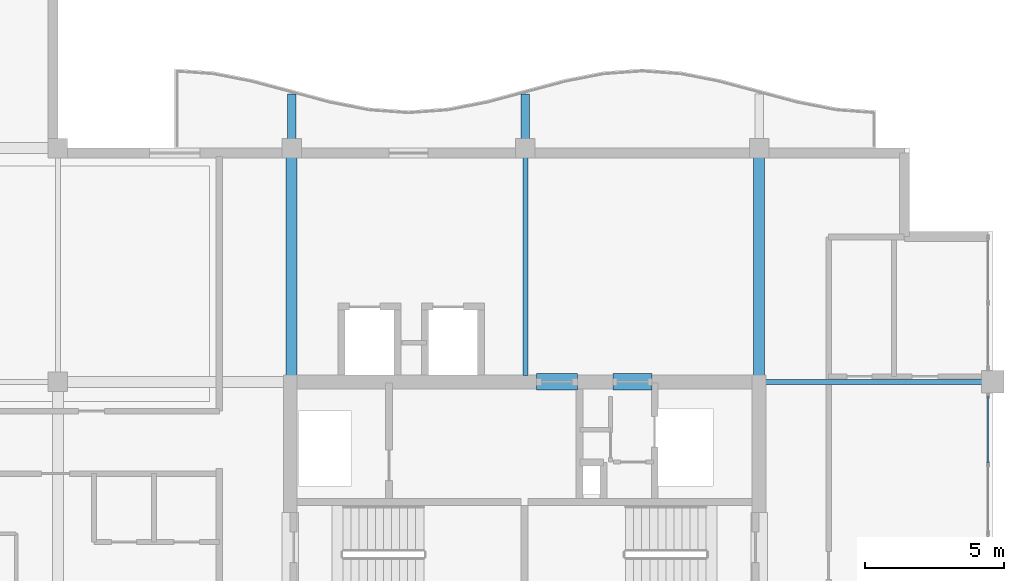
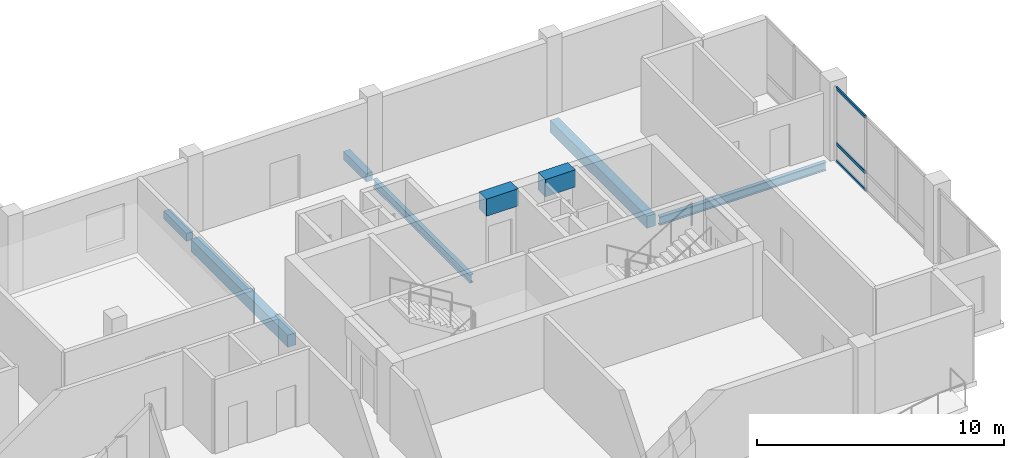
# One storey, part 3 of 15: 8 beams, 3 members, 1 element without a shape of its own.
"""IFC4 building model written with IfcOpenShell, lengths in metres."""

from ifc_helpers import new_model, si_unit, direction, frame, origin, origin_2d, place, context, subcontext, project, spatial, rectangle, hollow_rectangle, i_section, extrude, material, layer, layer_set, material_profile, profile_set, type_object, element, aggregate, save


model = new_model("IFC4")

# Units and contexts
model_context = context("Model", 3, precision=1e-05, world=origin(), true_north=direction((0.0, 1.0)))
body_context = subcontext(model_context, "Body", "Model", "MODEL_VIEW")
ifc_project = project(units=[si_unit("LENGTHUNIT", "METRE"), si_unit("AREAUNIT", "SQUARE_METRE"), si_unit("VOLUMEUNIT", "CUBIC_METRE"), si_unit("PLANEANGLEUNIT", "RADIAN"), si_unit("MASSUNIT", "GRAM", prefix="KILO")], contexts=[model_context])

# Site, building, storey
site_placement = place(None, origin())
site = spatial("IfcSite", under=ifc_project, at=site_placement, CompositionType="ELEMENT")
building_placement = place(site_placement, origin())
building = spatial("IfcBuilding", under=site, at=building_placement, Name="Koriwani Terraces Tower", CompositionType="ELEMENT")
storey_placement = place(building_placement, frame((0.0, 0.0, 324.199951171875)))
storey = spatial("IfcBuildingStorey", under=building, at=storey_placement, Name="L80", CompositionType="ELEMENT", Elevation=324.199951171875)

# Beams
ifc_material_1 = material(Name="Concrete C40/50", Category="concrete")
ifc_material_profile_1 = material_profile(ifc_material_1, rectangle(XDim=0.300048828125, YDim=0.39990234375, at=origin_2d()), Name="Concrete C40/50", Category="LoadBearing")
ifc_profile_set_1 = profile_set([ifc_material_profile_1], Name="Concrete C40/50")
beam_type_1 = type_object("IfcBeamType", Name="BEAM_RC_BALCONY_RIB_300X400", PredefinedType="JOIST", material=ifc_profile_set_1)
for number, where, z_axis, x_axis, name in (
    (1, (42.0, 33.699951171875, -0.429931640625), (0.0, 1.0, 0.0), (-1.0, 0.0, 0.0), "L80 Balcony Bracket Rib NE-1"),
    (2, (50.39990234375, 33.699951171875, -0.429931640625), (0.0, 1.0, 0.0), (-1.0, 0.0, 0.0), "L80 Balcony Bracket Rib NE-2"),
):
    element("IfcBeam", number, at=place(storey_placement, frame(where, z_axis=z_axis, x_axis=x_axis)), inside=storey, type_object=beam_type_1, Name=name, PredefinedType="JOIST", context=body_context, shape_type="SweptSolid", body=[
        extrude(rectangle(XDim=0.300048828125, YDim=0.39990234375, at=origin_2d()), origin(), (0.0, 0.0, 1.0), 1.85009765625),
    ])
ifc_material_2 = material(Name="Concrete C50/60", Category="concrete")
ifc_material_profile_2 = material_profile(ifc_material_2, rectangle(XDim=0.60009765625, YDim=0.85009765625, at=origin_2d()), Name="Concrete C50/60", Category="LoadBearing")
ifc_profile_set_2 = profile_set([ifc_material_profile_2], Name="Concrete C50/60")
beam_type_2 = type_object("IfcBeamType", Name="BEAM_RC_COUPLING_600X850", PredefinedType="LINTEL", material=ifc_profile_set_2)
beam_1_placement = place(storey_placement, frame((50.800048828125, 25.199951171875, 3.2451171875), z_axis=(1.0, 0.0, 0.0), x_axis=(0.0, 1.0, 0.0)))
element("IfcBeam", 3, at=beam_1_placement, inside=storey, type_object=beam_type_2, Name="L80 Core Coupling Lintel Beam EN1", PredefinedType="LINTEL", context=body_context, shape_type="SweptSolid", body=[
    extrude(rectangle(XDim=0.60009765625, YDim=0.85009765625, at=origin_2d()), origin(), (0.0, 0.0, 1.0), 1.47998046875),
])
beam_2_placement = place(storey_placement, frame((53.550048828125, 25.199951171875, 3.2451171875), z_axis=(1.0, 0.0, 0.0), x_axis=(0.0, 1.0, 0.0)))
element("IfcBeam", 4, at=beam_2_placement, inside=storey, type_object=beam_type_2, Name="L80 Core Coupling Lintel Beam EN2", PredefinedType="LINTEL", context=body_context, shape_type="SweptSolid", body=[
    extrude(rectangle(XDim=0.60009765625, YDim=0.85009765625, at=origin_2d()), origin(), (0.0, 0.0, 1.0), 1.39990234375),
])
ifc_material_profile_3 = material_profile(ifc_material_1, rectangle(XDim=0.39990234375, YDim=0.60009765625, at=origin_2d()), Name="Concrete C40/50", Category="LoadBearing")
ifc_profile_set_3 = profile_set([ifc_material_profile_3], Name="Concrete C40/50")
beam_type_3 = type_object("IfcBeamType", Name="BEAM_RC_GRID_400X600", PredefinedType="BEAM", material=ifc_profile_set_3)
for number, where, z_axis, x_axis, name in (
    (5, (42.0, 25.429931640625, -0.530029296875), (0.0, 1.0, 0.0), (-1.0, 0.0, 0.0), "L80 Grid Beam 6 (25.2-33.6m)"),
    (6, (58.800048828125, 25.429931640625, -0.530029296875), (0.0, 1.0, 0.0), (-1.0, 0.0, 0.0), "L80 Grid Beam 8 (25.2-33.6m)"),
):
    element("IfcBeam", number, at=place(storey_placement, frame(where, z_axis=z_axis, x_axis=x_axis)), inside=storey, type_object=beam_type_3, Name=name, PredefinedType="BEAM", context=body_context, shape_type="SweptSolid", body=[
        extrude(rectangle(XDim=0.39990234375, YDim=0.60009765625, at=origin_2d()), origin(), (0.0, 0.0, 1.0), 7.840087890625),
    ])

# Curtain wall, members
ifc_material_3 = material(Name="Anodised Bronze Aluminium", Category="aluminium")
ifc_layer = layer(ifc_material_3, 0.18994140625, Name="Anodised Bronze Aluminium")
ifc_layer_set = layer_set([ifc_layer], Name="Anodised Bronze Aluminium")
curtain_wall_type = type_object("IfcCurtainWallType", Name="CW_PENTHOUSE_ZONE5", PredefinedType="NOTDEFINED", material=ifc_layer_set)
curtain_wall_placement = place(storey_placement, origin())
curtain_wall = element("IfcCurtainWall", 7, at=curtain_wall_placement, inside=storey, type_object=curtain_wall_type, Name="L80 Unitised Curtain Wall (E_TIP) Bay 2", PredefinedType="NOTDEFINED")
ifc_material_profile_4 = material_profile(ifc_material_3, hollow_rectangle(XDim=0.06494140625, YDim=0.14990234375, WallThickness=0.0048828125, at=origin_2d()), Name="Anodised Bronze Aluminium", Category="LoadBearing")
ifc_profile_set_4 = profile_set([ifc_material_profile_4], Name="Anodised Bronze Aluminium")
member_type = type_object("IfcMemberType", Name="CW_TRANSOM_150X65", PredefinedType="USERDEFINED", material=ifc_profile_set_4)
member_1_placement = place(storey_placement, frame((67.02490234375, 24.6650390625, 0.032470703125), z_axis=(0.0, -1.0, 0.0), x_axis=(1.0, 0.0, 0.0)))
member_1 = element("IfcMember", 8, at=member_1_placement, type_object=member_type, Name="CW-Z5 transom 1.1", ObjectType="TRANSOM", PredefinedType="USERDEFINED", context=body_context, shape_type="SweptSolid", body=[
    extrude(hollow_rectangle(XDim=0.06494140625, YDim=0.14990234375, WallThickness=0.0048828125, at=origin_2d()), origin(), (0.0, 0.0, 1.0), 2.380859375),
])
member_2_placement = place(storey_placement, frame((67.02490234375, 24.6650390625, 0.900146484375), z_axis=(0.0, -1.0, 0.0), x_axis=(1.0, 0.0, 0.0)))
member_2 = element("IfcMember", 9, at=member_2_placement, type_object=member_type, Name="CW-Z5 transom 1.2", ObjectType="TRANSOM", PredefinedType="USERDEFINED", context=body_context, shape_type="SweptSolid", body=[
    extrude(hollow_rectangle(XDim=0.06494140625, YDim=0.14990234375, WallThickness=0.0048828125, at=origin_2d()), origin(), (0.0, 0.0, 1.0), 2.380859375),
])
member_3_placement = place(storey_placement, frame((67.02490234375, 24.6650390625, 3.637451171875), z_axis=(0.0, -1.0, 0.0), x_axis=(1.0, 0.0, 0.0)))
member_3 = element("IfcMember", 10, at=member_3_placement, type_object=member_type, Name="CW-Z5 transom 1.3", ObjectType="TRANSOM", PredefinedType="USERDEFINED", context=body_context, shape_type="SweptSolid", body=[
    extrude(hollow_rectangle(XDim=0.06494140625, YDim=0.14990234375, WallThickness=0.0048828125, at=origin_2d()), origin(), (0.0, 0.0, 1.0), 2.380859375),
])
aggregate(curtain_wall, [member_1, member_2, member_3])

# Beams
ifc_material_4 = material(Name="Steel ASTM A572 Grade 50", Category="steel")
ifc_material_profile_5 = material_profile(ifc_material_4, i_section(OverallWidth=0.180908203125, OverallDepth=0.4169921875, WebThickness=0.010986328125, FlangeThickness=0.018310546875, at=origin_2d()), Name="Steel ASTM A572 Grade 50", Category="LoadBearing")
ifc_profile_set_5 = profile_set([ifc_material_profile_5], Name="Steel ASTM A572 Grade 50")
beam_type_4 = type_object("IfcBeamType", Name="STEEL_BEAM_W410X85", PredefinedType="JOIST", material=ifc_profile_set_5)
beam_3_placement = place(storey_placement, frame((59.030029296875, 25.199951171875, -0.4384765625), z_axis=(1.0, 0.0, 0.0), x_axis=(0.0, 1.0, 0.0)))
element("IfcBeam", 11, at=beam_3_placement, inside=storey, type_object=beam_type_4, Name="L80 Grid Beam D (58.8-67.2m)", PredefinedType="JOIST", context=body_context, shape_type="SweptSolid", body=[
    extrude(i_section(OverallWidth=0.180908203125, OverallDepth=0.4169921875, WebThickness=0.010986328125, FlangeThickness=0.018310546875, at=origin_2d()), origin(), (0.0, 0.0, 1.0), 7.7900390625),
])
beam_4_placement = place(storey_placement, frame((50.39990234375, 25.429931640625, -0.4384765625), z_axis=(0.0, 1.0, 0.0), x_axis=(-1.0, 0.0, 0.0)))
element("IfcBeam", 12, at=beam_4_placement, inside=storey, type_object=beam_type_4, Name="L80 Grid Beam 7 (25.2-33.6m)", PredefinedType="JOIST", context=body_context, shape_type="SweptSolid", body=[
    extrude(i_section(OverallWidth=0.180908203125, OverallDepth=0.4169921875, WebThickness=0.010986328125, FlangeThickness=0.018310546875, at=origin_2d()), origin(), (0.0, 0.0, 1.0), 7.840087890625),
])

save(model, "model.ifc")
